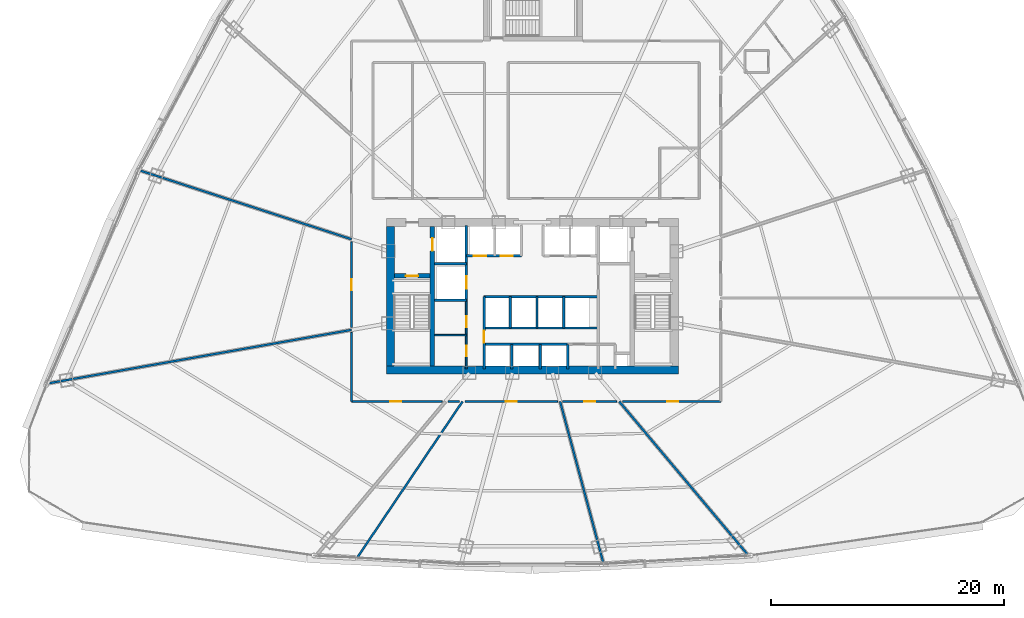
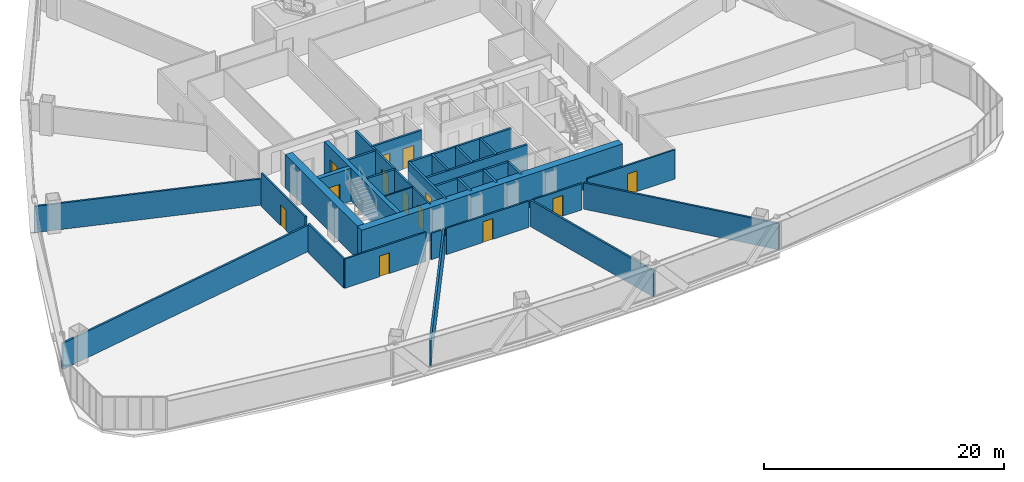
# One storey, part 35 of 42: 32 walls, 13 doors, 13 openings.
"""IFC4 building model written with IfcOpenShell, lengths in metres."""

from ifc_helpers import new_model, si_unit, direction, frame, frame_2d, origin, origin_with_axes, place, context, subcontext, project, spatial, rectangle, extrude, source, transform, mapped, material, layer, layer_set, type_object, element, fill, save


model = new_model("IFC4")

# Units and contexts
model_context = context("Model", 3, precision=1e-05, world=origin(), true_north=direction((0.0, 1.0)))
body_context = subcontext(model_context, "Body", "Model", "MODEL_VIEW")
ifc_project = project(units=[si_unit("LENGTHUNIT", "METRE"), si_unit("AREAUNIT", "SQUARE_METRE"), si_unit("VOLUMEUNIT", "CUBIC_METRE"), si_unit("PLANEANGLEUNIT", "RADIAN"), si_unit("MASSUNIT", "GRAM", prefix="KILO"), si_unit("THERMODYNAMICTEMPERATUREUNIT", "KELVIN"), si_unit("POWERUNIT", "WATT")], contexts=[model_context])

# Site, building, storey
site_placement = place(None, origin())
site = spatial("IfcSite", under=ifc_project, at=site_placement, CompositionType="ELEMENT")
building_placement = place(site_placement, origin())
building = spatial("IfcBuilding", under=site, at=building_placement, Name="Yunzhuo Pagoda Commons", CompositionType="ELEMENT")
storey_placement = place(building_placement, frame((0.0, 0.0, 44.919921875)))
storey = spatial("IfcBuildingStorey", under=building, at=storey_placement, Name="L11", CompositionType="ELEMENT", Elevation=44.919921875)

# Walls
ifc_material_1 = material(Name="Concrete C60", Category="concrete")
ifc_layer_1 = layer(ifc_material_1, 0.699951171875)
ifc_layer_set_1 = layer_set([ifc_layer_1], Name="Concrete C60")
wall_type_1 = type_object("IfcWallType", Name="W-C01 Lower Core Shear Wall 700", PredefinedType="SHEAR", material=ifc_layer_set_1)
wall_1_placement = place(storey_placement, frame((35.449951171875, 27.5, 0.0), z_axis=(0.0, 0.0, 1.0), x_axis=(1.0, 0.0, 0.0)))
element("IfcWall", 1, at=wall_1_placement, inside=storey, type_object=wall_type_1, Name="L11 core shear wall S", PredefinedType="SHEAR", context=body_context, shape_type="SweptSolid", body=[
    extrude(rectangle(XDim=25.10009765625, YDim=0.699951171875, at=frame_2d((12.550048828125, 0.0))), origin(), (0.0, 0.0, 1.0), 3.3701171875),
])
wall_2_placement = place(storey_placement, frame((35.800048828125, 27.85009765625, 0.0), z_axis=(0.0, 0.0, 1.0), x_axis=(0.0, 1.0, 0.0)))
element("IfcWall", 2, at=wall_2_placement, inside=storey, type_object=wall_type_1, Name="L11 core shear wall W", PredefinedType="SHEAR", context=body_context, shape_type="SweptSolid", body=[
    extrude(rectangle(XDim=12.0, YDim=0.699951171875, at=frame_2d((6.0, 0.0))), origin(), (0.0, 0.0, 1.0), 3.3701171875),
])

# Wall, openings, doors
ifc_material_2 = material(Name="Gypsum plasterboard on acoustic stud")
ifc_layer_2 = layer(ifc_material_2, 0.159912109375)
ifc_layer_set_2 = layer_set([ifc_layer_2], Name="Gypsum plasterboard on acoustic stud")
wall_type_2 = type_object("IfcWallType", Name="W-COR1 Tower Rated Corridor Wall 160", PredefinedType="PARTITIONING", material=ifc_layer_set_2)
wall_3_placement = place(storey_placement, frame((42.320068359375, 27.60009765625, 0.0), z_axis=(0.0, 0.0, 1.0), x_axis=(0.0, 1.0, 0.0)))
wall_3 = element("IfcWall", 3, at=wall_3_placement, inside=storey, type_object=wall_type_2, Name="L11 interior wall IW-L11-CSWE", PredefinedType="PARTITIONING", context=body_context, shape_type="SweptSolid", body=[
    extrude(rectangle(XDim=5.89990234375, YDim=0.159912109375, at=frame_2d((2.949951171875, 0.0))), origin(), (0.0, 0.0, 1.0), 3.3701171875),
])
opening_1_placement = place(wall_3_placement, frame((1.10009765625, 0.0, 0.0)))
opening_1 = element("IfcOpeningElement", 4, at=opening_1_placement, cuts=wall_3, Name="Opening D-03", PredefinedType="OPENING", context=body_context, shape_type="SweptSolid", body=[
    extrude(rectangle(XDim=0.89990234375, YDim=2.10009765625, at=frame_2d((0.449951171875, 1.050048828125))), frame((0.0, 0.08984375, 0.0), z_axis=(0.0, -1.0, 0.0), x_axis=(1.0, 0.0, 0.0)), (0.0, 0.0, 1.0), 0.179931640625),
])
opening_2_placement = place(wall_3_placement, frame((3.60009765625, 0.0, 0.0)))
opening_2 = element("IfcOpeningElement", 5, at=opening_2_placement, cuts=wall_3, Name="Opening D-11", PredefinedType="OPENING", context=body_context, shape_type="SweptSolid", body=[
    extrude(rectangle(XDim=0.93994140625, YDim=2.10009765625, at=frame_2d((0.469970703125, 1.050048828125))), frame((0.0, 0.08984375, 0.0), z_axis=(0.0, -1.0, 0.0), x_axis=(1.0, 0.0, 0.0)), (0.0, 0.0, 1.0), 0.179931640625),
])
ifc_material_3 = material(Name="Galvanized fire-resisting metal leaf")
door_type_1 = type_object("IfcDoorType", Name="D-03 Core Service Fire Door 900x2100", OperationType="NOTDEFINED", PredefinedType="DOOR", material=ifc_material_3)
shared_shape_1 = source(origin(), body_context, "Body", "SweptSolid", [
    extrude(rectangle(XDim=0.89990234375, YDim=2.10009765625, at=frame_2d((0.449951171875, 1.050048828125))), frame((0.0, 0.02490234375, 0.0), z_axis=(0.0, -1.0, 0.0), x_axis=(1.0, 0.0, 0.0)), (0.0, 0.0, 1.0), 0.050048828125),
])
door_1_placement = place(opening_1_placement, origin_with_axes())
door_1 = element("IfcDoor", 6, at=door_1_placement, inside=storey, type_object=door_type_1, Name="L11 housekeeping door", OperationType="SINGLE_SWING_RIGHT", OverallHeight=2.10009765625, OverallWidth=0.89990234375, PredefinedType="DOOR", context=body_context, shape_type="MappedRepresentation", body=[
    mapped(shared_shape_1, transform((0.0, 0.0, 0.0), scale=1.0)),
])
fill(opening_1, door_1)
door_type_2 = type_object("IfcDoorType", Name="D-11 Accessible Washroom Fire Door 940x2100", OperationType="NOTDEFINED", PredefinedType="DOOR", material=ifc_material_3)
shared_shape_2 = source(origin(), body_context, "Body", "SweptSolid", [
    extrude(rectangle(XDim=0.93994140625, YDim=2.10009765625, at=frame_2d((0.469970703125, 1.050048828125))), frame((0.0, 0.02490234375, 0.0), z_axis=(0.0, -1.0, 0.0), x_axis=(1.0, 0.0, 0.0)), (0.0, 0.0, 1.0), 0.050048828125),
])
door_2_placement = place(opening_2_placement, origin_with_axes())
door_2 = element("IfcDoor", 7, at=door_2_placement, inside=storey, type_object=door_type_2, Name="L11 core WC door", OperationType="SINGLE_SWING_RIGHT", OverallHeight=2.10009765625, OverallWidth=0.93994140625, PredefinedType="DOOR", context=body_context, shape_type="MappedRepresentation", body=[
    mapped(shared_shape_2, transform((0.0, 0.0, 0.0), scale=1.0)),
])
fill(opening_2, door_2)

# Wall
wall_4_placement = place(storey_placement, frame((32.449951171875, 24.800048828125, 0.0), z_axis=(0.0, 0.0, 1.0), x_axis=(0.0, 1.0, 0.0)))
element("IfcWall", 8, at=wall_4_placement, inside=storey, type_object=wall_type_2, Name="L11 interior wall IW-L11-CWL01", PredefinedType="PARTITIONING", context=body_context, shape_type="SweptSolid", body=[
    extrude(rectangle(XDim=5.9345703125, YDim=0.159912109375, at=frame_2d((2.96728515625, 0.0))), origin(), (0.0, 0.0, 1.0), 2.969970703125),
])

# Wall, opening, door
wall_5_placement = place(storey_placement, frame((32.449951171875, 31.177978515625, 0.0), z_axis=(0.0, 0.0, 1.0), x_axis=(0.0, 1.0, 0.0)))
wall_5 = element("IfcWall", 9, at=wall_5_placement, inside=storey, type_object=wall_type_2, Name="L11 interior wall IW-L11-CWL02", PredefinedType="PARTITIONING", context=body_context, shape_type="SweptSolid", body=[
    extrude(rectangle(XDim=7.354736328125, YDim=0.159912109375, at=frame_2d((3.67724609375, 0.0))), origin(), (0.0, 0.0, 1.0), 3.3701171875),
])
opening_3_placement = place(wall_5_placement, frame((3.202392578125, 0.0, 0.0)))
opening_3 = element("IfcOpeningElement", 10, at=opening_3_placement, cuts=wall_5, Name="Opening D-06", PredefinedType="OPENING", context=body_context, shape_type="SweptSolid", body=[
    extrude(rectangle(XDim=0.949951171875, YDim=2.10009765625, at=frame_2d((0.47509765625, 1.050048828125))), frame((0.0, 0.08984375, 0.0), z_axis=(0.0, -1.0, 0.0), x_axis=(1.0, 0.0, 0.0)), (0.0, 0.0, 1.0), 0.179931640625),
])
door_type_3 = type_object("IfcDoorType", Name="D-06 Co-Living Suite Entrance Fire Door 950x2100", OperationType="NOTDEFINED", PredefinedType="DOOR", material=ifc_material_3)
shared_shape_3 = source(origin(), body_context, "Body", "SweptSolid", [
    extrude(rectangle(XDim=0.949951171875, YDim=2.10009765625, at=frame_2d((0.47509765625, 1.050048828125))), frame((0.0, 0.02490234375, 0.0), z_axis=(0.0, -1.0, 0.0), x_axis=(1.0, 0.0, 0.0)), (0.0, 0.0, 1.0), 0.050048828125),
])
door_3_placement = place(opening_3_placement, origin_with_axes())
door_3 = element("IfcDoor", 11, at=door_3_placement, inside=storey, type_object=door_type_3, Name="L11 unit 07 entrance door", OperationType="SINGLE_SWING_RIGHT", OverallHeight=2.10009765625, OverallWidth=0.949951171875, PredefinedType="DOOR", context=body_context, shape_type="MappedRepresentation", body=[
    mapped(shared_shape_3, transform((0.0, 0.0, 0.0), scale=1.0)),
])
fill(opening_3, door_3)

wall_6_placement = place(storey_placement, frame((64.199951171875, 24.800048828125, 0.0), z_axis=(0.0, 0.0, 1.0), x_axis=(-1.0, 0.0, 0.0)))
wall_6 = element("IfcWall", 12, at=wall_6_placement, inside=storey, type_object=wall_type_2, Name="L11 interior wall IW-L11-CWL14", PredefinedType="PARTITIONING", context=body_context, shape_type="SweptSolid", body=[
    extrude(rectangle(XDim=8.44482421875, YDim=0.159912109375, at=frame_2d((4.222412109375, 0.0))), origin(), (0.0, 0.0, 1.0), 2.969970703125),
])
opening_4_placement = place(wall_6_placement, frame((3.660888671875, 0.0, 0.0)))
opening_4 = element("IfcOpeningElement", 13, at=opening_4_placement, cuts=wall_6, Name="Opening D-06", PredefinedType="OPENING", context=body_context, shape_type="SweptSolid", body=[
    extrude(rectangle(XDim=0.949951171875, YDim=2.10009765625, at=frame_2d((0.47509765625, 1.050048828125))), frame((0.0, 0.08984375, 0.0), z_axis=(0.0, -1.0, 0.0), x_axis=(1.0, 0.0, 0.0)), (0.0, 0.0, 1.0), 0.179931640625),
])
door_4_placement = place(opening_4_placement, origin_with_axes())
door_4 = element("IfcDoor", 14, at=door_4_placement, inside=storey, type_object=door_type_3, Name="L11 unit 12 entrance door", OperationType="SINGLE_SWING_LEFT", OverallHeight=2.10009765625, OverallWidth=0.949951171875, PredefinedType="DOOR", context=body_context, shape_type="MappedRepresentation", body=[
    mapped(shared_shape_3, transform((0.0, 0.0, 0.0), scale=1.0)),
])
fill(opening_4, door_4)

wall_7_placement = place(storey_placement, frame((55.248046875, 24.800048828125, 0.0), z_axis=(0.0, 0.0, 1.0), x_axis=(-1.0, 0.0, 0.0)))
wall_7 = element("IfcWall", 15, at=wall_7_placement, inside=storey, type_object=wall_type_2, Name="L11 interior wall IW-L11-CWL15", PredefinedType="PARTITIONING", context=body_context, shape_type="SweptSolid", body=[
    extrude(rectangle(XDim=4.635498046875, YDim=0.159912109375, at=frame_2d((2.31787109375, 0.0))), origin(), (0.0, 0.0, 1.0), 2.670166015625),
])
opening_5_placement = place(wall_7_placement, frame((1.8466796875, 0.0, 0.0)))
opening_5 = element("IfcOpeningElement", 16, at=opening_5_placement, cuts=wall_7, Name="Opening D-06", PredefinedType="OPENING", context=body_context, shape_type="SweptSolid", body=[
    extrude(rectangle(XDim=0.949951171875, YDim=2.10009765625, at=frame_2d((0.47509765625, 1.050048828125))), frame((0.0, 0.08984375, 0.0), z_axis=(0.0, -1.0, 0.0), x_axis=(1.0, 0.0, 0.0)), (0.0, 0.0, 1.0), 0.179931640625),
])
door_5_placement = place(opening_5_placement, origin_with_axes())
door_5 = element("IfcDoor", 17, at=door_5_placement, inside=storey, type_object=door_type_3, Name="L11 unit 11 entrance door", OperationType="SINGLE_SWING_RIGHT", OverallHeight=2.10009765625, OverallWidth=0.949951171875, PredefinedType="DOOR", context=body_context, shape_type="MappedRepresentation", body=[
    mapped(shared_shape_3, transform((0.0, 0.0, 0.0), scale=1.0)),
])
fill(opening_5, door_5)

wall_8_placement = place(storey_placement, frame((50.164794921875, 24.800048828125, 0.0), z_axis=(0.0, 0.0, 1.0), x_axis=(-1.0, 0.0, 0.0)))
wall_8 = element("IfcWall", 18, at=wall_8_placement, inside=storey, type_object=wall_type_2, Name="L11 interior wall IW-L11-CWL16", PredefinedType="PARTITIONING", context=body_context, shape_type="SweptSolid", body=[
    extrude(rectangle(XDim=7.947998046875, YDim=0.159912109375, at=frame_2d((3.97412109375, 0.0))), origin(), (0.0, 0.0, 1.0), 2.670166015625),
])
opening_6_placement = place(wall_8_placement, frame((3.4990234375, 0.0, 0.0)))
opening_6 = element("IfcOpeningElement", 19, at=opening_6_placement, cuts=wall_8, Name="Opening D-06", PredefinedType="OPENING", context=body_context, shape_type="SweptSolid", body=[
    extrude(rectangle(XDim=0.949951171875, YDim=2.10009765625, at=frame_2d((0.47509765625, 1.050048828125))), frame((0.0, 0.08984375, 0.0), z_axis=(0.0, -1.0, 0.0), x_axis=(1.0, 0.0, 0.0)), (0.0, 0.0, 1.0), 0.179931640625),
])
door_6_placement = place(opening_6_placement, origin_with_axes())
door_6 = element("IfcDoor", 20, at=door_6_placement, inside=storey, type_object=door_type_3, Name="L11 Resident Co-Living Commons Hall door", OperationType="SINGLE_SWING_LEFT", OverallHeight=2.10009765625, OverallWidth=0.949951171875, PredefinedType="DOOR", context=body_context, shape_type="MappedRepresentation", body=[
    mapped(shared_shape_3, transform((0.0, 0.0, 0.0), scale=1.0)),
])
fill(opening_6, door_6)

# Wall
wall_9_placement = place(storey_placement, frame((41.7314453125, 24.800048828125, 0.0), z_axis=(0.0, 0.0, 1.0), x_axis=(-1.0, 0.0, 0.0)))
element("IfcWall", 21, at=wall_9_placement, inside=storey, type_object=wall_type_2, Name="L11 interior wall IW-L11-CWL17", PredefinedType="PARTITIONING", context=body_context, shape_type="SweptSolid", body=[
    extrude(rectangle(XDim=0.9794921875, YDim=0.159912109375, at=frame_2d((0.48974609375, 0.0))), origin(), (0.0, 0.0, 1.0), 2.670166015625),
])

# Wall, opening, door
wall_10_placement = place(storey_placement, frame((40.244873046875, 24.800048828125, 0.0), z_axis=(0.0, 0.0, 1.0), x_axis=(-1.0, 0.0, 0.0)))
wall_10 = element("IfcWall", 22, at=wall_10_placement, inside=storey, type_object=wall_type_2, Name="L11 interior wall IW-L11-CWL18", PredefinedType="PARTITIONING", context=body_context, shape_type="SweptSolid", body=[
    extrude(rectangle(XDim=7.794921875, YDim=0.159912109375, at=frame_2d((3.8974609375, 0.0))), origin(), (0.0, 0.0, 1.0), 2.969970703125),
])
opening_7_placement = place(wall_10_placement, frame((3.5087890625, 0.0, 0.0)))
opening_7 = element("IfcOpeningElement", 23, at=opening_7_placement, cuts=wall_10, Name="Opening D-06", PredefinedType="OPENING", context=body_context, shape_type="SweptSolid", body=[
    extrude(rectangle(XDim=0.949951171875, YDim=2.10009765625, at=frame_2d((0.47509765625, 1.050048828125))), frame((0.0, 0.08984375, 0.0), z_axis=(0.0, -1.0, 0.0), x_axis=(1.0, 0.0, 0.0)), (0.0, 0.0, 1.0), 0.179931640625),
])
door_7_placement = place(opening_7_placement, origin_with_axes())
door_7 = element("IfcDoor", 24, at=door_7_placement, inside=storey, type_object=door_type_3, Name="L11 unit 08 entrance door", OperationType="SINGLE_SWING_LEFT", OverallHeight=2.10009765625, OverallWidth=0.949951171875, PredefinedType="DOOR", context=body_context, shape_type="MappedRepresentation", body=[
    mapped(shared_shape_3, transform((0.0, 0.0, 0.0), scale=1.0)),
])
fill(opening_7, door_7)

# Walls
ifc_layer_3 = layer(ifc_material_2, 0.1201171875)
ifc_layer_set_3 = layer_set([ifc_layer_3], Name="Gypsum plasterboard on acoustic stud")
wall_type_3 = type_object("IfcWallType", Name="W-PRT1 Suite & Bathroom Partition 120", PredefinedType="PARTITIONING", material=ifc_layer_set_3)
wall_11_placement = place(storey_placement, frame((39.60009765625, 30.5, 0.0), z_axis=(0.0, 0.0, 1.0), x_axis=(1.0, 0.0, 0.0)))
element("IfcWall", 25, at=wall_11_placement, inside=storey, type_object=wall_type_3, Name="L11 interior wall IW-L11-CB1", PredefinedType="PARTITIONING", context=body_context, shape_type="SweptSolid", body=[
    extrude(rectangle(XDim=2.719970703125, YDim=0.1201171875, at=frame_2d((1.35986328125, 0.0))), origin(), (0.0, 0.0, 1.0), 3.3701171875),
])
ifc_layer_4 = layer(ifc_material_2, 0.179931640625)
ifc_layer_set_4 = layer_set([ifc_layer_4], Name="Gypsum plasterboard on acoustic stud")
wall_type_4 = type_object("IfcWallType", Name="W-PRT2 Acoustic Unit Demising Wall 180", PredefinedType="PARTITIONING", material=ifc_layer_set_4)
wall_12_placement = place(storey_placement, frame((32.449951171875, 38.75244140625, 0.0), z_axis=(0.0, 0.0, 1.0), x_axis=(-0.951055021268, 0.309021595557, 0.0)))
element("IfcWall", 26, at=wall_12_placement, inside=storey, type_object=wall_type_4, Name="L11 interior wall IW-L11-RAD07", PredefinedType="PARTITIONING", context=body_context, shape_type="SweptSolid", body=[
    extrude(rectangle(XDim=19.264404296875, YDim=0.179931640625, at=frame_2d((9.63232421875, 0.0))), origin(), (0.0, 0.0, 1.0), 2.670166015625),
])
wall_13_placement = place(storey_placement, frame((32.449951171875, 30.9580078125, 0.0), z_axis=(0.0, 0.0, 1.0), x_axis=(-0.984808390998, -0.173644559431, 0.0)))
element("IfcWall", 27, at=wall_13_placement, inside=storey, type_object=wall_type_4, Name="L11 interior wall IW-L11-RAD08", PredefinedType="PARTITIONING", context=body_context, shape_type="SweptSolid", body=[
    extrude(rectangle(XDim=26.61376953125, YDim=0.179931640625, at=frame_2d((13.306884765625, 0.0))), origin(), (0.0, 0.0, 1.0), 2.670166015625),
])
wall_14_placement = place(storey_placement, frame((41.996826171875, 24.800048828125, 0.0), z_axis=(0.0, 0.0, 1.0), x_axis=(-0.559182499599, -0.82904458996, 0.0)))
element("IfcWall", 28, at=wall_14_placement, inside=storey, type_object=wall_type_4, Name="L11 interior wall IW-L11-RAD10", PredefinedType="PARTITIONING", context=body_context, shape_type="SweptSolid", body=[
    extrude(rectangle(XDim=16.248291015625, YDim=0.179931640625, at=frame_2d((8.1240234375, 0.0))), origin(), (0.0, 0.0, 1.0), 2.670166015625),
])
wall_15_placement = place(storey_placement, frame((50.384765625, 24.800048828125, 0.0), z_axis=(0.0, 0.0, 1.0), x_axis=(0.258819787056, -0.965925627483, 0.0)))
element("IfcWall", 29, at=wall_15_placement, inside=storey, type_object=wall_type_4, Name="L11 interior wall IW-L11-RAD11", PredefinedType="PARTITIONING", context=body_context, shape_type="SweptSolid", body=[
    extrude(rectangle(XDim=14.482177734375, YDim=0.179931640625, at=frame_2d((7.2412109375, 0.0))), origin(), (0.0, 0.0, 1.0), 2.670166015625),
])
wall_16_placement = place(storey_placement, frame((55.468017578125, 24.800048828125, 0.0), z_axis=(0.0, 0.0, 1.0), x_axis=(0.642784696521, -0.766046887546, 0.0)))
element("IfcWall", 30, at=wall_16_placement, inside=storey, type_object=wall_type_4, Name="L11 interior wall IW-L11-RAD12", PredefinedType="PARTITIONING", context=body_context, shape_type="SweptSolid", body=[
    extrude(rectangle(XDim=17.31884765625, YDim=0.179931640625, at=frame_2d((8.659423828125, 0.0))), origin(), (0.0, 0.0, 1.0), 2.670166015625),
])

# Wall, opening, door
ifc_layer_5 = layer(ifc_material_1, 0.39990234375)
ifc_layer_set_5 = layer_set([ifc_layer_5], Name="Concrete C60")
wall_type_5 = type_object("IfcWallType", Name="W-S01 Internal Core Shear Web 400", PredefinedType="SHEAR", material=ifc_layer_set_5)
wall_17_placement = place(storey_placement, frame((39.39990234375, 27.85009765625, 0.0), z_axis=(0.0, 0.0, 1.0), x_axis=(0.0, 1.0, 0.0)))
wall_17 = element("IfcWall", 31, at=wall_17_placement, inside=storey, type_object=wall_type_5, Name="L11 core shear wall WEBW", PredefinedType="SHEAR", context=body_context, shape_type="SweptSolid", body=[
    extrude(rectangle(XDim=12.0, YDim=0.39990234375, at=frame_2d((6.0, 0.0))), origin(), (0.0, 0.0, 1.0), 3.3701171875),
])
opening_8_placement = place(wall_17_placement, frame((9.89990234375, 0.0, 0.0)))
opening_8 = element("IfcOpeningElement", 32, at=opening_8_placement, cuts=wall_17, Name="Opening LD-01", PredefinedType="OPENING", context=body_context, shape_type="SweptSolid", body=[
    extrude(rectangle(XDim=1.10009765625, YDim=2.10009765625, at=frame_2d((0.550048828125, 1.050048828125))), frame((0.0, 0.2099609375, 0.0), z_axis=(0.0, -1.0, 0.0), x_axis=(1.0, 0.0, 0.0)), (0.0, 0.0, 1.0), 0.419921875),
])
door_type_4 = type_object("IfcDoorType", Name="LD-01 Firefighting Lift Landing Door 1100x2100", OperationType="DOUBLE_DOOR_SLIDING", PredefinedType="DOOR", material=ifc_material_3)
shared_shape_4 = source(origin(), body_context, "Body", "SweptSolid", [
    extrude(rectangle(XDim=1.10009765625, YDim=2.10009765625, at=frame_2d((0.550048828125, 1.050048828125))), frame((0.0, 0.02490234375, 0.0), z_axis=(0.0, -1.0, 0.0), x_axis=(1.0, 0.0, 0.0)), (0.0, 0.0, 1.0), 0.050048828125),
])
door_8_placement = place(opening_8_placement, frame((1.10009765625, 0.0, 0.0), z_axis=(0.0, 0.0, 1.0), x_axis=(-1.0, 0.0, 0.0)))
door_8 = element("IfcDoor", 33, at=door_8_placement, inside=storey, type_object=door_type_4, Name="L11 Firefighting lift FL-1 landing door", OperationType="DOUBLE_DOOR_SLIDING", OverallHeight=2.10009765625, OverallWidth=1.10009765625, PredefinedType="DOOR", context=body_context, shape_type="MappedRepresentation", body=[
    mapped(shared_shape_4, transform((0.0, 0.0, 0.0), scale=1.0)),
])
fill(opening_8, door_8)

wall_18_placement = place(storey_placement, frame((36.14990234375, 35.60009765625, 0.0), z_axis=(0.0, 0.0, 1.0), x_axis=(1.0, 0.0, 0.0)))
wall_18 = element("IfcWall", 34, at=wall_18_placement, inside=storey, type_object=wall_type_5, Name="L11 core shear wall STW", PredefinedType="SHEAR", context=body_context, shape_type="SweptSolid", body=[
    extrude(rectangle(XDim=3.050048828125, YDim=0.39990234375, at=frame_2d((1.52490234375, 0.0))), origin(), (0.0, 0.0, 1.0), 3.3701171875),
])
opening_9_placement = place(wall_18_placement, frame((0.969970703125, 0.0, 0.0)))
opening_9 = element("IfcOpeningElement", 35, at=opening_9_placement, cuts=wall_18, Name="Opening D-01", PredefinedType="OPENING", context=body_context, shape_type="SweptSolid", body=[
    extrude(rectangle(XDim=1.050048828125, YDim=2.10009765625, at=frame_2d((0.52490234375, 1.050048828125))), frame((0.0, 0.2099609375, 0.0), z_axis=(0.0, -1.0, 0.0), x_axis=(1.0, 0.0, 0.0)), (0.0, 0.0, 1.0), 0.419921875),
])
door_type_5 = type_object("IfcDoorType", Name="D-01 Smokeproof Stair Fire Door 1050x2100", OperationType="NOTDEFINED", PredefinedType="DOOR", material=ifc_material_3)
shared_shape_5 = source(origin(), body_context, "Body", "SweptSolid", [
    extrude(rectangle(XDim=1.050048828125, YDim=2.10009765625, at=frame_2d((0.52490234375, 1.050048828125))), frame((0.0, 0.02490234375, 0.0), z_axis=(0.0, -1.0, 0.0), x_axis=(1.0, 0.0, 0.0)), (0.0, 0.0, 1.0), 0.050048828125),
])
door_9_placement = place(opening_9_placement, frame((1.050048828125, 0.0, 0.0), z_axis=(0.0, 0.0, 1.0), x_axis=(-1.0, 0.0, 0.0)))
door_9 = element("IfcDoor", 36, at=door_9_placement, inside=storey, type_object=door_type_5, Name="L11 Stair ST1 fire door", OperationType="SINGLE_SWING_LEFT", OverallHeight=2.10009765625, OverallWidth=1.050048828125, PredefinedType="DOOR", context=body_context, shape_type="MappedRepresentation", body=[
    mapped(shared_shape_5, transform((0.0, 0.0, 0.0), scale=1.0)),
])
fill(opening_9, door_9)

ifc_material_4 = material(Name="Concrete C40", Category="concrete")
ifc_layer_6 = layer(ifc_material_4, 0.199951171875)
ifc_layer_set_6 = layer_set([ifc_layer_6], Name="Concrete C40")
wall_type_6 = type_object("IfcWallType", Name="W-SHF Shaft & Stair Enclosure Wall 200", PredefinedType="SOLIDWALL", material=ifc_layer_set_6)
wall_19_placement = place(storey_placement, frame((42.320068359375, 33.5, 0.0), z_axis=(0.0, 0.0, 1.0), x_axis=(0.0, 1.0, 0.0)))
wall_19 = element("IfcWall", 37, at=wall_19_placement, inside=storey, type_object=wall_type_6, Name="L11 interior wall IW-L11-FL1E", PredefinedType="SOLIDWALL", context=body_context, shape_type="SweptSolid", body=[
    extrude(rectangle(XDim=6.449951171875, YDim=0.199951171875, at=frame_2d((3.22509765625, 0.0))), origin(), (0.0, 0.0, 1.0), 3.3701171875),
])
opening_10_placement = place(wall_19_placement, frame((1.0, 0.0, 0.0)))
opening_10 = element("IfcOpeningElement", 38, at=opening_10_placement, cuts=wall_19, Name="Opening LD-02", PredefinedType="OPENING", context=body_context, shape_type="SweptSolid", body=[
    extrude(rectangle(XDim=1.050048828125, YDim=2.10009765625, at=frame_2d((0.52490234375, 1.050048828125))), frame((0.0, 0.10986328125, 0.0), z_axis=(0.0, -1.0, 0.0), x_axis=(1.0, 0.0, 0.0)), (0.0, 0.0, 1.0), 0.219970703125),
])
door_type_6 = type_object("IfcDoorType", Name="LD-02 Passenger Lift Landing Door 1050x2100", OperationType="DOUBLE_DOOR_SLIDING", PredefinedType="DOOR", material=ifc_material_3)
door_10_placement = place(opening_10_placement, origin_with_axes())
door_10 = element("IfcDoor", 39, at=door_10_placement, inside=storey, type_object=door_type_6, Name="L11 Service lift SL-1 landing door", OperationType="DOUBLE_DOOR_SLIDING", OverallHeight=2.10009765625, OverallWidth=1.050048828125, PredefinedType="DOOR", context=body_context, shape_type="MappedRepresentation", body=[
    mapped(shared_shape_5, transform((0.0, 0.0, 0.0), scale=1.0)),
])
fill(opening_10, door_10)

# Walls
for number, where, z_axis, x_axis, name in (
    (40, (39.60009765625, 36.64990234375, 0.0), (0.0, 0.0, 1.0), (1.0, 0.0, 0.0), "L11 interior wall IW-L11-FL1S"),
    (41, (39.60009765625, 33.5, 0.0), (0.0, 0.0, 1.0), (1.0, 0.0, 0.0), "L11 interior wall IW-L11-SL1S"),
):
    element("IfcWall", number, at=place(storey_placement, frame(where, z_axis=z_axis, x_axis=x_axis)), inside=storey, type_object=wall_type_6, Name=name, PredefinedType="SOLIDWALL", context=body_context, shape_type="SweptSolid", body=[
        extrude(rectangle(XDim=2.719970703125, YDim=0.199951171875, at=frame_2d((1.35986328125, 0.0))), origin(), (0.0, 0.0, 1.0), 3.3701171875),
    ])

# Wall, openings, doors
wall_20_placement = place(storey_placement, frame((42.320068359375, 37.320068359375, 0.0), z_axis=(0.0, 0.0, 1.0), x_axis=(1.0, 0.0, 0.0)))
wall_20 = element("IfcWall", 42, at=wall_20_placement, inside=storey, type_object=wall_type_6, Name="L11 interior wall IW-L11-LBNW", PredefinedType="SOLIDWALL", context=body_context, shape_type="SweptSolid", body=[
    extrude(rectangle(XDim=4.72998046875, YDim=0.199951171875, at=frame_2d((2.364990234375, 0.0))), origin(), (0.0, 0.0, 1.0), 3.3701171875),
])
opening_11_placement = place(wall_20_placement, frame((0.64990234375, 0.0, 0.0)))
opening_11 = element("IfcOpeningElement", 43, at=opening_11_placement, cuts=wall_20, Name="Opening LD-02", PredefinedType="OPENING", context=body_context, shape_type="SweptSolid", body=[
    extrude(rectangle(XDim=1.050048828125, YDim=2.10009765625, at=frame_2d((0.52490234375, 1.050048828125))), frame((0.0, 0.10986328125, 0.0), z_axis=(0.0, -1.0, 0.0), x_axis=(1.0, 0.0, 0.0)), (0.0, 0.0, 1.0), 0.219970703125),
])
opening_12_placement = place(wall_20_placement, frame((2.949951171875, 0.0, 0.0)))
opening_12 = element("IfcOpeningElement", 44, at=opening_12_placement, cuts=wall_20, Name="Opening LD-02", PredefinedType="OPENING", context=body_context, shape_type="SweptSolid", body=[
    extrude(rectangle(XDim=1.050048828125, YDim=2.10009765625, at=frame_2d((0.52490234375, 1.050048828125))), frame((0.0, 0.10986328125, 0.0), z_axis=(0.0, -1.0, 0.0), x_axis=(1.0, 0.0, 0.0)), (0.0, 0.0, 1.0), 0.219970703125),
])
door_11_placement = place(opening_11_placement, frame((1.050048828125, 0.0, 0.0), z_axis=(0.0, 0.0, 1.0), x_axis=(-1.0, 0.0, 0.0)))
door_11 = element("IfcDoor", 45, at=door_11_placement, inside=storey, type_object=door_type_6, Name="L11 Passenger lift PL-L1 landing door", OperationType="DOUBLE_DOOR_SLIDING", OverallHeight=2.10009765625, OverallWidth=1.050048828125, PredefinedType="DOOR", context=body_context, shape_type="MappedRepresentation", body=[
    mapped(shared_shape_5, transform((0.0, 0.0, 0.0), scale=1.0)),
])
fill(opening_11, door_11)
door_12_placement = place(opening_12_placement, frame((1.050048828125, 0.0, 0.0), z_axis=(0.0, 0.0, 1.0), x_axis=(-1.0, 0.0, 0.0)))
door_12 = element("IfcDoor", 46, at=door_12_placement, inside=storey, type_object=door_type_6, Name="L11 Passenger lift PL-L2 landing door", OperationType="DOUBLE_DOOR_SLIDING", OverallHeight=2.10009765625, OverallWidth=1.050048828125, PredefinedType="DOOR", context=body_context, shape_type="MappedRepresentation", body=[
    mapped(shared_shape_5, transform((0.0, 0.0, 0.0), scale=1.0)),
])
fill(opening_12, door_12)

# Wall
wall_21_placement = place(storey_placement, frame((43.85009765625, 33.820068359375, 0.0), z_axis=(0.0, 0.0, 1.0), x_axis=(1.0, 0.0, 0.0)))
element("IfcWall", 47, at=wall_21_placement, inside=storey, type_object=wall_type_6, Name="L11 interior wall IW-L11-MLBS", PredefinedType="SOLIDWALL", context=body_context, shape_type="SweptSolid", body=[
    extrude(rectangle(XDim=9.829833984375, YDim=0.199951171875, at=frame_2d((4.9150390625, 0.0))), origin(), (0.0, 0.0, 1.0), 3.3701171875),
])

# Wall, opening, door
wall_22_placement = place(storey_placement, frame((43.85009765625, 27.60009765625, 0.0), z_axis=(0.0, 0.0, 1.0), x_axis=(0.0, 1.0, 0.0)))
wall_22 = element("IfcWall", 48, at=wall_22_placement, inside=storey, type_object=wall_type_6, Name="L11 interior wall IW-L11-PLMW", PredefinedType="SOLIDWALL", context=body_context, shape_type="SweptSolid", body=[
    extrude(rectangle(XDim=6.219970703125, YDim=0.199951171875, at=frame_2d((3.10986328125, 0.0))), origin(), (0.0, 0.0, 1.0), 3.3701171875),
])
opening_13_placement = place(wall_22_placement, frame((2.25, 0.0, 0.0)))
opening_13 = element("IfcOpeningElement", 49, at=opening_13_placement, cuts=wall_22, Name="Opening D-02", PredefinedType="OPENING", context=body_context, shape_type="SweptSolid", body=[
    extrude(rectangle(XDim=1.050048828125, YDim=2.10009765625, at=frame_2d((0.52490234375, 1.050048828125))), frame((0.0, 0.10986328125, 0.0), z_axis=(0.0, -1.0, 0.0), x_axis=(1.0, 0.0, 0.0)), (0.0, 0.0, 1.0), 0.219970703125),
])
door_type_7 = type_object("IfcDoorType", Name="D-02 Firefighting Lobby & Refuge Fire Door 1050x2100", OperationType="NOTDEFINED", PredefinedType="DOOR", material=ifc_material_3)
door_13_placement = place(opening_13_placement, frame((1.050048828125, 0.0, 0.0), z_axis=(0.0, 0.0, 1.0), x_axis=(-1.0, 0.0, 0.0)))
door_13 = element("IfcDoor", 50, at=door_13_placement, inside=storey, type_object=door_type_7, Name="L11 High-bank hall west door", OperationType="SINGLE_SWING_LEFT", OverallHeight=2.10009765625, OverallWidth=1.050048828125, PredefinedType="DOOR", context=body_context, shape_type="MappedRepresentation", body=[
    mapped(shared_shape_5, transform((0.0, 0.0, 0.0), scale=1.0)),
])
fill(opening_13, door_13)

# Walls
for number, where, z_axis, x_axis, name in (
    (51, (46.10009765625, 31.1201171875, 0.0), (0.0, 0.0, 1.0), (0.0, 1.0, 0.0), "L11 interior wall IW-L11-PLMD1"),
    (52, (48.39990234375, 31.1201171875, 0.0), (0.0, 0.0, 1.0), (0.0, 1.0, 0.0), "L11 interior wall IW-L11-PLMD2"),
    (53, (50.699951171875, 31.1201171875, 0.0), (0.0, 0.0, 1.0), (0.0, 1.0, 0.0), "L11 interior wall IW-L11-PLMD3"),
):
    element("IfcWall", number, at=place(storey_placement, frame(where, z_axis=z_axis, x_axis=x_axis)), inside=storey, type_object=wall_type_6, Name=name, PredefinedType="SOLIDWALL", context=body_context, shape_type="SweptSolid", body=[
        extrude(rectangle(XDim=2.699951171875, YDim=0.199951171875, at=frame_2d((1.35009765625, 0.0))), origin(), (0.0, 0.0, 1.0), 3.3701171875),
    ])
wall_23_placement = place(storey_placement, frame((43.85009765625, 29.719970703125, 0.0), z_axis=(0.0, 0.0, 1.0), x_axis=(1.0, 0.0, 0.0)))
element("IfcWall", 54, at=wall_23_placement, inside=storey, type_object=wall_type_6, Name="L11 interior wall IW-L11-PLHN", PredefinedType="SOLIDWALL", context=body_context, shape_type="SweptSolid", body=[
    extrude(rectangle(XDim=7.199951171875, YDim=0.199951171875, at=frame_2d((3.60009765625, 0.0))), origin(), (0.0, 0.0, 1.0), 3.3701171875),
])
wall_24_placement = place(storey_placement, frame((51.050048828125, 27.60009765625, 0.0), z_axis=(0.0, 0.0, 1.0), x_axis=(0.0, 1.0, 0.0)))
element("IfcWall", 55, at=wall_24_placement, inside=storey, type_object=wall_type_6, Name="L11 interior wall IW-L11-PLHE", PredefinedType="SOLIDWALL", context=body_context, shape_type="SweptSolid", body=[
    extrude(rectangle(XDim=2.119873046875, YDim=0.199951171875, at=frame_2d((1.06005859375, 0.0))), origin(), (0.0, 0.0, 1.0), 3.3701171875),
])
wall_25_placement = place(storey_placement, frame((43.85009765625, 31.1201171875, 0.0), z_axis=(0.0, 0.0, 1.0), x_axis=(1.0, 0.0, 0.0)))
element("IfcWall", 56, at=wall_25_placement, inside=storey, type_object=wall_type_6, Name="L11 interior wall IW-L11-PLMS2", PredefinedType="SOLIDWALL", context=body_context, shape_type="SweptSolid", body=[
    extrude(rectangle(XDim=9.829833984375, YDim=0.199951171875, at=frame_2d((4.9150390625, 0.0))), origin(), (0.0, 0.0, 1.0), 3.3701171875),
])
for number, where, z_axis, x_axis, name in (
    (57, (46.22509765625, 27.60009765625, 0.0), (0.0, 0.0, 1.0), (0.0, 1.0, 0.0), "L11 interior wall IW-L11-PLHD1"),
    (58, (48.675048828125, 27.60009765625, 0.0), (0.0, 0.0, 1.0), (0.0, 1.0, 0.0), "L11 interior wall IW-L11-PLHD2"),
):
    element("IfcWall", number, at=place(storey_placement, frame(where, z_axis=z_axis, x_axis=x_axis)), inside=storey, type_object=wall_type_6, Name=name, PredefinedType="SOLIDWALL", context=body_context, shape_type="SweptSolid", body=[
        extrude(rectangle(XDim=2.119873046875, YDim=0.199951171875, at=frame_2d((1.06005859375, 0.0))), origin(), (0.0, 0.0, 1.0), 3.3701171875),
    ])

save(model, "model.ifc")
